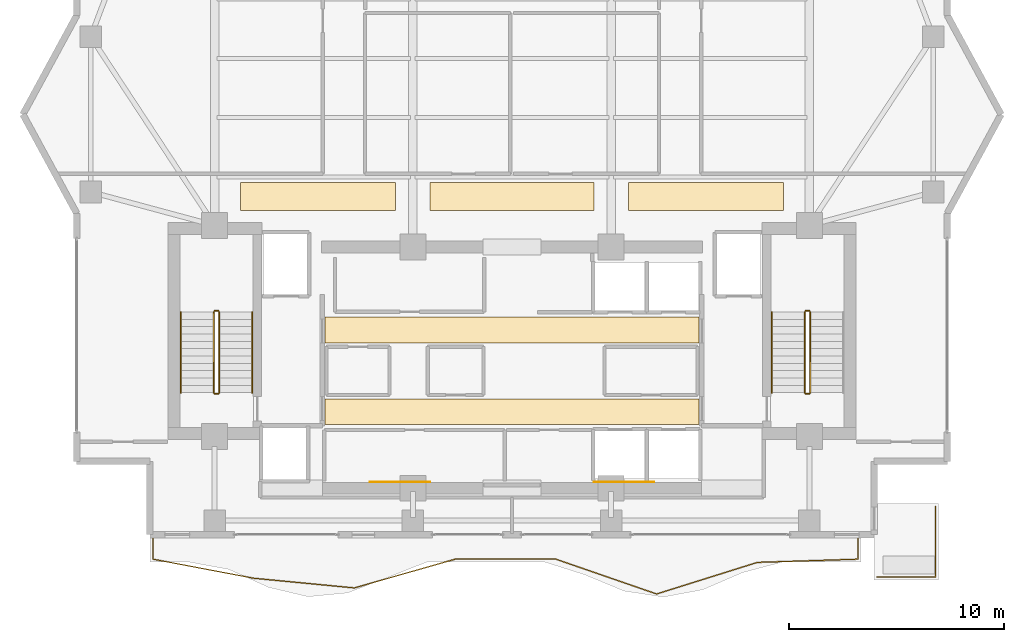
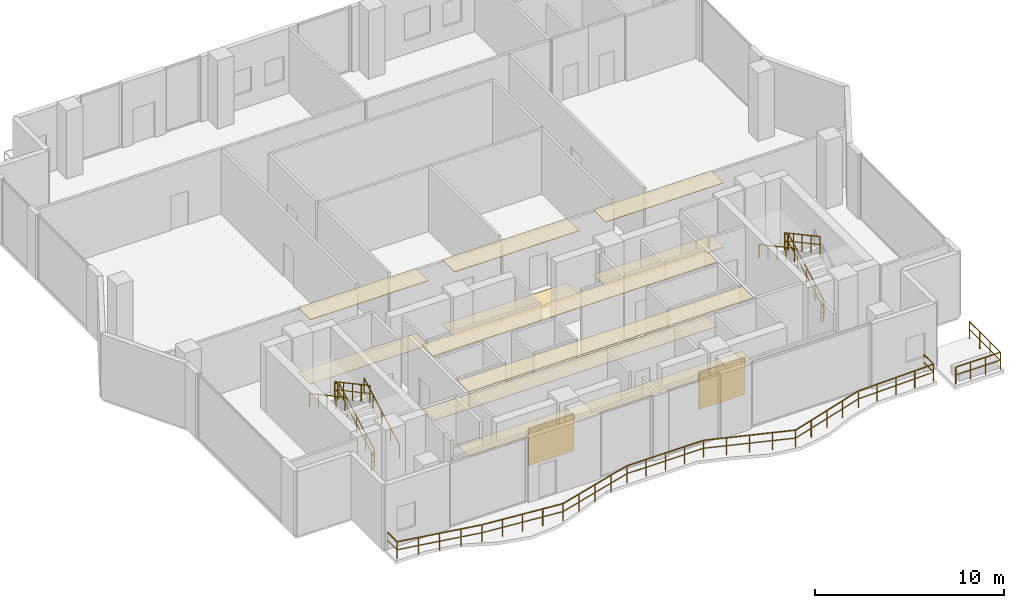
# One storey, part 21 of 23: 13 railings, 12 coverings.
"""IFC4 building model written with IfcOpenShell, lengths in metres."""

from ifc_helpers import new_model, si_unit, direction, frame, origin, origin_2d, place, context, subcontext, project, spatial, polyline, rectangle, outline, extrude, material, layer, layer_set, type_object, element, save


model = new_model("IFC4")

# Units and contexts
model_context = context("Model", 3, precision=1e-05, world=origin(), true_north=direction((0.0, 1.0)))
body_context = subcontext(model_context, "Body", "Model", "MODEL_VIEW")
ifc_project = project(units=[si_unit("LENGTHUNIT", "METRE"), si_unit("AREAUNIT", "SQUARE_METRE"), si_unit("VOLUMEUNIT", "CUBIC_METRE"), si_unit("PLANEANGLEUNIT", "RADIAN"), si_unit("MASSUNIT", "GRAM", prefix="KILO")], contexts=[model_context])

# Site, building, storey
site_placement = place(None, origin())
site = spatial("IfcSite", under=ifc_project, at=site_placement, CompositionType="ELEMENT")
building_placement = place(site_placement, origin())
building = spatial("IfcBuilding", under=site, at=building_placement, Name="Zuhayl Quay Hotel", CompositionType="ELEMENT")
storey_placement = place(building_placement, frame((0.0, 0.0, 288.449951171875)))
storey = spatial("IfcBuildingStorey", under=building, at=storey_placement, Name="L73", CompositionType="ELEMENT", Elevation=288.449951171875)

# Coverings
ifc_material_1 = material(Name="Acoustic Mineral-Fibre Gypsum Board")
ifc_layer_1 = layer(ifc_material_1, 0.02490234375, Name="Acoustic Mineral-Fibre Gypsum Board")
ifc_layer_set_1 = layer_set([ifc_layer_1], Name="Acoustic Mineral-Fibre Gypsum Board")
covering_type_1 = type_object("IfcCoveringType", Name="CV_CEIL_ACOUSTIC", PredefinedType="CEILING", material=ifc_layer_set_1)
covering_1_placement = place(storey_placement, frame((0.0, 0.0, 4.155029296875)))
element("IfcCovering", 1, at=covering_1_placement, inside=storey, type_object=covering_type_1, Name="L73 Suspended Acoustic Lobby Ceiling S", PredefinedType="CEILING", context=body_context, shape_type="SweptSolid", body=[
    extrude(outline(polyline([(-8.679931640625, 5.10009765625), (8.679931640625, 5.10009765625), (8.679931640625, 6.300048828125), (-8.679931640625, 6.300048828125), (-8.679931640625, 5.10009765625)])), origin(), (0.0, 0.0, 1.0), 0.02490234375),
])
covering_2_placement = place(storey_placement, frame((0.0, 0.0, 4.155029296875)))
element("IfcCovering", 2, at=covering_2_placement, inside=storey, type_object=covering_type_1, Name="L73 Suspended Acoustic Lobby Ceiling N", PredefinedType="CEILING", context=body_context, shape_type="SweptSolid", body=[
    extrude(outline(polyline([(-8.679931640625, 8.89990234375), (8.679931640625, 8.89990234375), (8.679931640625, 10.10009765625), (-8.679931640625, 10.10009765625), (-8.679931640625, 8.89990234375)])), origin(), (0.0, 0.0, 1.0), 0.02490234375),
])
covering_3_placement = place(storey_placement, frame((0.0, 0.0, 4.155029296875)))
element("IfcCovering", 3, at=covering_3_placement, inside=storey, type_object=covering_type_1, Name="L73 Guest Corridor Acoustic Ceiling CW", PredefinedType="CEILING", context=body_context, shape_type="SweptSolid", body=[
    extrude(outline(polyline([(-12.60009765625, 15.050048828125), (-5.39990234375, 15.050048828125), (-5.39990234375, 16.35009765625), (-12.60009765625, 16.35009765625), (-12.60009765625, 15.050048828125)])), origin(), (0.0, 0.0, 1.0), 0.02490234375),
])
covering_4_placement = place(storey_placement, frame((0.0, 0.0, 4.155029296875)))
element("IfcCovering", 4, at=covering_4_placement, inside=storey, type_object=covering_type_1, Name="L73 Guest Corridor Acoustic Ceiling CC", PredefinedType="CEILING", context=body_context, shape_type="SweptSolid", body=[
    extrude(outline(polyline([(-3.800048828125, 15.050048828125), (3.800048828125, 15.050048828125), (3.800048828125, 16.35009765625), (-3.800048828125, 16.35009765625), (-3.800048828125, 15.050048828125)])), origin(), (0.0, 0.0, 1.0), 0.02490234375),
])
covering_5_placement = place(storey_placement, frame((0.0, 0.0, 4.155029296875)))
element("IfcCovering", 5, at=covering_5_placement, inside=storey, type_object=covering_type_1, Name="L73 Guest Corridor Acoustic Ceiling CE", PredefinedType="CEILING", context=body_context, shape_type="SweptSolid", body=[
    extrude(outline(polyline([(5.39990234375, 15.050048828125), (12.60009765625, 15.050048828125), (12.60009765625, 16.35009765625), (5.39990234375, 16.35009765625), (5.39990234375, 15.050048828125)])), origin(), (0.0, 0.0, 1.0), 0.02490234375),
])
ifc_material_2 = material(Name="Polished Limestone Terrazzo", Category="masonry")
ifc_layer_2 = layer(ifc_material_2, 0.02001953125, Name="Polished Limestone Terrazzo", Category="masonry")
ifc_layer_set_2 = layer_set([ifc_layer_2], Name="Polished Limestone Terrazzo")
covering_type_2 = type_object("IfcCoveringType", Name="CV_FLOOR_TERRAZZO", PredefinedType="FLOORING", material=ifc_layer_set_2)
covering_6_placement = place(storey_placement, origin())
element("IfcCovering", 6, at=covering_6_placement, inside=storey, type_object=covering_type_2, Name="L73 Honed Limestone Terrazzo Lobby Flooring S", PredefinedType="FLOORING", context=body_context, shape_type="SweptSolid", body=[
    extrude(outline(polyline([(-8.679931640625, 5.10009765625), (8.679931640625, 5.10009765625), (8.679931640625, 6.300048828125), (-8.679931640625, 6.300048828125), (-8.679931640625, 5.10009765625)])), origin(), (0.0, 0.0, 1.0), 0.02001953125),
])
covering_7_placement = place(storey_placement, origin())
element("IfcCovering", 7, at=covering_7_placement, inside=storey, type_object=covering_type_2, Name="L73 Honed Limestone Terrazzo Lobby Flooring N", PredefinedType="FLOORING", context=body_context, shape_type="SweptSolid", body=[
    extrude(outline(polyline([(-8.679931640625, 8.89990234375), (8.679931640625, 8.89990234375), (8.679931640625, 10.10009765625), (-8.679931640625, 10.10009765625), (-8.679931640625, 8.89990234375)])), origin(), (0.0, 0.0, 1.0), 0.02001953125),
])
covering_8_placement = place(storey_placement, origin())
element("IfcCovering", 8, at=covering_8_placement, inside=storey, type_object=covering_type_2, Name="L73 Guest Corridor Terrazzo Runner CW", PredefinedType="FLOORING", context=body_context, shape_type="SweptSolid", body=[
    extrude(outline(polyline([(-12.60009765625, 15.050048828125), (-5.39990234375, 15.050048828125), (-5.39990234375, 16.35009765625), (-12.60009765625, 16.35009765625), (-12.60009765625, 15.050048828125)])), origin(), (0.0, 0.0, 1.0), 0.02001953125),
])
covering_9_placement = place(storey_placement, origin())
element("IfcCovering", 9, at=covering_9_placement, inside=storey, type_object=covering_type_2, Name="L73 Guest Corridor Terrazzo Runner CC", PredefinedType="FLOORING", context=body_context, shape_type="SweptSolid", body=[
    extrude(outline(polyline([(-3.800048828125, 15.050048828125), (3.800048828125, 15.050048828125), (3.800048828125, 16.35009765625), (-3.800048828125, 16.35009765625), (-3.800048828125, 15.050048828125)])), origin(), (0.0, 0.0, 1.0), 0.02001953125),
])
covering_10_placement = place(storey_placement, origin())
element("IfcCovering", 10, at=covering_10_placement, inside=storey, type_object=covering_type_2, Name="L73 Guest Corridor Terrazzo Runner CE", PredefinedType="FLOORING", context=body_context, shape_type="SweptSolid", body=[
    extrude(outline(polyline([(5.39990234375, 15.050048828125), (12.60009765625, 15.050048828125), (12.60009765625, 16.35009765625), (5.39990234375, 16.35009765625), (5.39990234375, 15.050048828125)])), origin(), (0.0, 0.0, 1.0), 0.02001953125),
])
ifc_material_3 = material(Name="Acoustic Walnut Feature Timber", Category="wood")
ifc_layer_3 = layer(ifc_material_3, 0.02197265625, Name="Acoustic Walnut Feature Timber", Category="wood")
ifc_layer_set_3 = layer_set([ifc_layer_3], Name="Acoustic Walnut Feature Timber")
covering_type_3 = type_object("IfcCoveringType", Name="CV_WALL_CLAD", PredefinedType="CLADDING", material=ifc_layer_set_3)
for number, where, z_axis, x_axis, name in (
    (11, (-5.199951171875, 2.43603515625, 0.300048828125), (0.0, 0.0, 1.0), (1.0, 0.0, 0.0), "L73 Feature Lobby Walnut Wall Cladding W"),
    (12, (5.199951171875, 2.43603515625, 0.300048828125), (0.0, 0.0, 1.0), (1.0, 0.0, 0.0), "L73 Feature Lobby Walnut Wall Cladding E"),
):
    element("IfcCovering", number, at=place(storey_placement, frame(where, z_axis=z_axis, x_axis=x_axis)), inside=storey, type_object=covering_type_3, Name=name, PredefinedType="CLADDING", context=body_context, shape_type="SweptSolid", body=[
        extrude(rectangle(XDim=2.800048828125, YDim=0.02197265625, at=origin_2d()), origin(), (0.0, 0.0, 1.0), 2.39990234375),
    ])

# Railings
ifc_material_4 = material(Name="Anodised Aluminium and Laminated Glass", Category="aluminium")
railing_type_1 = type_object("IfcRailingType", Name="RL_EXT_BAL_1100", PredefinedType="BALUSTRADE", material=ifc_material_4)
railing_1_placement = place(storey_placement, frame((-16.659912109375, -0.1201171875, 0.0)))
element("IfcRailing", 13, at=railing_1_placement, inside=storey, type_object=railing_type_1, Name="L73 Balcony and Terrace Guard GR_L73_BAL_S", PredefinedType="BALUSTRADE", context=body_context, shape_type="SweptSolid", body=[
    extrude(rectangle(XDim=0.048095703125, YDim=0.048095703125, at=origin_2d()), frame((0.0, 0.0, 1.09619140625), z_axis=(0.0, -1.0, 0.0), x_axis=(1.0, 0.0, 0.0)), (0.0, 0.0, 1.0), 1.019775390625),
    extrude(rectangle(XDim=0.0361328125, YDim=0.0361328125, at=origin_2d()), frame((0.0, 0.0, 0.58251953125), z_axis=(0.0, -1.0, 0.0), x_axis=(1.0, 0.0, 0.0)), (0.0, 0.0, 1.0), 1.019775390625),
    extrude(rectangle(XDim=0.048095703125, YDim=0.048095703125, at=origin_2d()), frame((0.0, -1.019775390625, 1.09619140625), z_axis=(0.982544142474, -0.186029589286, 0.0), x_axis=(0.186029589286, 0.982544142474, 0.0)), (0.0, 0.0, 1.0), 4.75732421875),
    extrude(rectangle(XDim=0.0361328125, YDim=0.0361328125, at=origin_2d()), frame((0.0, -1.019775390625, 0.58251953125), z_axis=(0.982544142474, -0.186029589286, 0.0), x_axis=(0.186029589286, 0.982544142474, 0.0)), (0.0, 0.0, 1.0), 4.75732421875),
    extrude(rectangle(XDim=0.048095703125, YDim=0.048095703125, at=origin_2d()), frame((4.67431640625, -1.90478515625, 1.09619140625), z_axis=(0.995403883893, -0.09576590171, 0.0), x_axis=(0.09576590171, 0.995403883893, 0.0)), (0.0, 0.0, 1.0), 4.69580078125),
    extrude(rectangle(XDim=0.0361328125, YDim=0.0361328125, at=origin_2d()), frame((4.67431640625, -1.90478515625, 0.58251953125), z_axis=(0.995403883893, -0.09576590171, 0.0), x_axis=(0.09576590171, 0.995403883893, 0.0)), (0.0, 0.0, 1.0), 4.69580078125),
    extrude(rectangle(XDim=0.048095703125, YDim=0.048095703125, at=origin_2d()), frame((9.3486328125, -2.3544921875, 1.09619140625), z_axis=(0.961563738746, 0.274581820827, 0.0), x_axis=(-0.274581820827, 0.961563738746, 0.0)), (0.0, 0.0, 1.0), 4.86083984375),
    extrude(rectangle(XDim=0.0361328125, YDim=0.0361328125, at=origin_2d()), frame((9.3486328125, -2.3544921875, 0.58251953125), z_axis=(0.961563738746, 0.274581820827, 0.0), x_axis=(-0.274581820827, 0.961563738746, 0.0)), (0.0, 0.0, 1.0), 4.86083984375),
    extrude(rectangle(XDim=0.048095703125, YDim=0.048095703125, at=origin_2d()), frame((14.022705078125, -1.019775390625, 1.09619140625), z_axis=(1.0, 0.0, 0.0), x_axis=(0.0, 1.0, 0.0)), (0.0, 0.0, 1.0), 4.67431640625),
    extrude(rectangle(XDim=0.0361328125, YDim=0.0361328125, at=origin_2d()), frame((14.022705078125, -1.019775390625, 0.58251953125), z_axis=(1.0, 0.0, 0.0), x_axis=(0.0, 1.0, 0.0)), (0.0, 0.0, 1.0), 4.67431640625),
    extrude(rectangle(XDim=0.048095703125, YDim=0.048095703125, at=origin_2d()), frame((18.697021484375, -1.019775390625, 1.09619140625), z_axis=(0.945145598877, -0.326649348573, 0.0), x_axis=(0.326649348573, 0.945145598877, 0.0)), (0.0, 0.0, 1.0), 4.945556640625),
    extrude(rectangle(XDim=0.0361328125, YDim=0.0361328125, at=origin_2d()), frame((18.697021484375, -1.019775390625, 0.58251953125), z_axis=(0.945145598877, -0.326649348573, 0.0), x_axis=(0.326649348573, 0.945145598877, 0.0)), (0.0, 0.0, 1.0), 4.945556640625),
    extrude(rectangle(XDim=0.048095703125, YDim=0.048095703125, at=origin_2d()), frame((23.371337890625, -2.63525390625, 1.09619140625), z_axis=(0.954154860036, 0.299313386053, 0.0), x_axis=(-0.299313386053, 0.954154860036, 0.0)), (0.0, 0.0, 1.0), 4.89892578125),
    extrude(rectangle(XDim=0.0361328125, YDim=0.0361328125, at=origin_2d()), frame((23.371337890625, -2.63525390625, 0.58251953125), z_axis=(0.954154860036, 0.299313386053, 0.0), x_axis=(-0.299313386053, 0.954154860036, 0.0)), (0.0, 0.0, 1.0), 4.89892578125),
    extrude(rectangle(XDim=0.048095703125, YDim=0.048095703125, at=origin_2d()), frame((28.045654296875, -1.1689453125, 1.09619140625), z_axis=(0.999491179324, 0.031896433227, 0.0), x_axis=(-0.031896433227, 0.999491179324, 0.0)), (0.0, 0.0, 1.0), 4.6767578125),
    extrude(rectangle(XDim=0.0361328125, YDim=0.0361328125, at=origin_2d()), frame((28.045654296875, -1.1689453125, 0.58251953125), z_axis=(0.999491179324, 0.031896433227, 0.0), x_axis=(-0.031896433227, 0.999491179324, 0.0)), (0.0, 0.0, 1.0), 4.6767578125),
    extrude(rectangle(XDim=0.048095703125, YDim=0.048095703125, at=origin_2d()), frame((32.719970703125, -1.019775390625, 1.09619140625), z_axis=(0.0, 1.0, 0.0), x_axis=(-1.0, 0.0, 0.0)), (0.0, 0.0, 1.0), 1.019775390625),
    extrude(rectangle(XDim=0.0361328125, YDim=0.0361328125, at=origin_2d()), frame((32.719970703125, -1.019775390625, 0.58251953125), z_axis=(0.0, 1.0, 0.0), x_axis=(-1.0, 0.0, 0.0)), (0.0, 0.0, 1.0), 1.019775390625),
    extrude(rectangle(XDim=0.0419921875, YDim=0.0419921875, at=origin_2d()), origin(), (0.0, 0.0, 1.0), 1.072021484375),
    extrude(rectangle(XDim=0.0419921875, YDim=0.0419921875, at=origin_2d()), frame((0.0, -1.019775390625, 0.0)), (0.0, 0.0, 1.0), 1.072021484375),
    extrude(rectangle(XDim=0.0419921875, YDim=0.0419921875, at=origin_2d()), frame((1.16845703125, -1.240966796875, 0.0)), (0.0, 0.0, 1.0), 1.072021484375),
    extrude(rectangle(XDim=0.0419921875, YDim=0.0419921875, at=origin_2d()), frame((2.337158203125, -1.46240234375, 0.0)), (0.0, 0.0, 1.0), 1.072021484375),
    extrude(rectangle(XDim=0.0419921875, YDim=0.0419921875, at=origin_2d()), frame((3.505859375, -1.68359375, 0.0)), (0.0, 0.0, 1.0), 1.072021484375),
    extrude(rectangle(XDim=0.0419921875, YDim=0.0419921875, at=origin_2d()), frame((4.67431640625, -1.90478515625, 0.0)), (0.0, 0.0, 1.0), 1.072021484375),
    extrude(rectangle(XDim=0.0419921875, YDim=0.0419921875, at=origin_2d()), frame((5.8427734375, -2.01708984375, 0.0)), (0.0, 0.0, 1.0), 1.072021484375),
    extrude(rectangle(XDim=0.0419921875, YDim=0.0419921875, at=origin_2d()), frame((7.011474609375, -2.129638671875, 0.0)), (0.0, 0.0, 1.0), 1.072021484375),
    extrude(rectangle(XDim=0.0419921875, YDim=0.0419921875, at=origin_2d()), frame((8.18017578125, -2.2421875, 0.0)), (0.0, 0.0, 1.0), 1.072021484375),
    extrude(rectangle(XDim=0.0419921875, YDim=0.0419921875, at=origin_2d()), frame((9.3486328125, -2.3544921875, 0.0)), (0.0, 0.0, 1.0), 1.072021484375),
    extrude(rectangle(XDim=0.0419921875, YDim=0.0419921875, at=origin_2d()), frame((10.51708984375, -2.020751953125, 0.0)), (0.0, 0.0, 1.0), 1.072021484375),
    extrude(rectangle(XDim=0.0419921875, YDim=0.0419921875, at=origin_2d()), frame((11.685546875, -1.68701171875, 0.0)), (0.0, 0.0, 1.0), 1.072021484375),
    extrude(rectangle(XDim=0.0419921875, YDim=0.0419921875, at=origin_2d()), frame((12.854248046875, -1.353515625, 0.0)), (0.0, 0.0, 1.0), 1.072021484375),
    extrude(rectangle(XDim=0.0419921875, YDim=0.0419921875, at=origin_2d()), frame((14.022705078125, -1.019775390625, 0.0)), (0.0, 0.0, 1.0), 1.072021484375),
    extrude(rectangle(XDim=0.0419921875, YDim=0.0419921875, at=origin_2d()), frame((15.19140625, -1.019775390625, 0.0)), (0.0, 0.0, 1.0), 1.072021484375),
    extrude(rectangle(XDim=0.0419921875, YDim=0.0419921875, at=origin_2d()), frame((16.35986328125, -1.019775390625, 0.0)), (0.0, 0.0, 1.0), 1.072021484375),
    extrude(rectangle(XDim=0.0419921875, YDim=0.0419921875, at=origin_2d()), frame((17.5283203125, -1.019775390625, 0.0)), (0.0, 0.0, 1.0), 1.072021484375),
    extrude(rectangle(XDim=0.0419921875, YDim=0.0419921875, at=origin_2d()), frame((18.697021484375, -1.019775390625, 0.0)), (0.0, 0.0, 1.0), 1.072021484375),
    extrude(rectangle(XDim=0.0419921875, YDim=0.0419921875, at=origin_2d()), frame((19.86572265625, -1.423583984375, 0.0)), (0.0, 0.0, 1.0), 1.072021484375),
    extrude(rectangle(XDim=0.0419921875, YDim=0.0419921875, at=origin_2d()), frame((21.0341796875, -1.82763671875, 0.0)), (0.0, 0.0, 1.0), 1.072021484375),
    extrude(rectangle(XDim=0.0419921875, YDim=0.0419921875, at=origin_2d()), frame((22.20263671875, -2.2314453125, 0.0)), (0.0, 0.0, 1.0), 1.072021484375),
    extrude(rectangle(XDim=0.0419921875, YDim=0.0419921875, at=origin_2d()), frame((23.371337890625, -2.63525390625, 0.0)), (0.0, 0.0, 1.0), 1.072021484375),
    extrude(rectangle(XDim=0.0419921875, YDim=0.0419921875, at=origin_2d()), frame((24.5400390625, -2.2685546875, 0.0)), (0.0, 0.0, 1.0), 1.072021484375),
    extrude(rectangle(XDim=0.0419921875, YDim=0.0419921875, at=origin_2d()), frame((25.70849609375, -1.902099609375, 0.0)), (0.0, 0.0, 1.0), 1.072021484375),
    extrude(rectangle(XDim=0.0419921875, YDim=0.0419921875, at=origin_2d()), frame((26.876953125, -1.53564453125, 0.0)), (0.0, 0.0, 1.0), 1.072021484375),
    extrude(rectangle(XDim=0.0419921875, YDim=0.0419921875, at=origin_2d()), frame((28.045654296875, -1.1689453125, 0.0)), (0.0, 0.0, 1.0), 1.072021484375),
    extrude(rectangle(XDim=0.0419921875, YDim=0.0419921875, at=origin_2d()), frame((29.21435546875, -1.131591796875, 0.0)), (0.0, 0.0, 1.0), 1.072021484375),
    extrude(rectangle(XDim=0.0419921875, YDim=0.0419921875, at=origin_2d()), frame((30.3828125, -1.09423828125, 0.0)), (0.0, 0.0, 1.0), 1.072021484375),
    extrude(rectangle(XDim=0.0419921875, YDim=0.0419921875, at=origin_2d()), frame((31.55126953125, -1.05712890625, 0.0)), (0.0, 0.0, 1.0), 1.072021484375),
    extrude(rectangle(XDim=0.0419921875, YDim=0.0419921875, at=origin_2d()), frame((32.719970703125, -1.019775390625, 0.0)), (0.0, 0.0, 1.0), 1.072021484375),
    extrude(rectangle(XDim=0.0419921875, YDim=0.0419921875, at=origin_2d()), frame((32.719970703125, 0.0, 0.0)), (0.0, 0.0, 1.0), 1.072021484375),
])
railing_2_placement = place(storey_placement, frame((16.93994140625, -1.9599609375, 0.0)))
element("IfcRailing", 14, at=railing_2_placement, inside=storey, type_object=railing_type_1, Name="L73 Balcony and Terrace Guard GR_L73_SPIRAL_SE", PredefinedType="BALUSTRADE", context=body_context, shape_type="SweptSolid", body=[
    extrude(rectangle(XDim=0.048095703125, YDim=0.048095703125, at=origin_2d()), frame((0.0, 0.0, 1.09619140625), z_axis=(1.0, 0.0, 0.0), x_axis=(0.0, 1.0, 0.0)), (0.0, 0.0, 1.0), 2.719970703125),
    extrude(rectangle(XDim=0.0361328125, YDim=0.0361328125, at=origin_2d()), frame((0.0, 0.0, 0.58251953125), z_axis=(1.0, 0.0, 0.0), x_axis=(0.0, 1.0, 0.0)), (0.0, 0.0, 1.0), 2.719970703125),
    extrude(rectangle(XDim=0.048095703125, YDim=0.048095703125, at=origin_2d()), frame((2.719970703125, 0.0, 1.09619140625), z_axis=(0.0, 1.0, 0.0), x_axis=(-1.0, 0.0, 0.0)), (0.0, 0.0, 1.0), 3.27001953125),
    extrude(rectangle(XDim=0.0361328125, YDim=0.0361328125, at=origin_2d()), frame((2.719970703125, 0.0, 0.58251953125), z_axis=(0.0, 1.0, 0.0), x_axis=(-1.0, 0.0, 0.0)), (0.0, 0.0, 1.0), 3.27001953125),
    extrude(rectangle(XDim=0.0419921875, YDim=0.0419921875, at=origin_2d()), origin(), (0.0, 0.0, 1.0), 1.072021484375),
    extrude(rectangle(XDim=0.0419921875, YDim=0.0419921875, at=origin_2d()), frame((0.90673828125, 0.0, 0.0)), (0.0, 0.0, 1.0), 1.072021484375),
    extrude(rectangle(XDim=0.0419921875, YDim=0.0419921875, at=origin_2d()), frame((1.813232421875, 0.0, 0.0)), (0.0, 0.0, 1.0), 1.072021484375),
    extrude(rectangle(XDim=0.0419921875, YDim=0.0419921875, at=origin_2d()), frame((2.719970703125, 0.0, 0.0)), (0.0, 0.0, 1.0), 1.072021484375),
    extrude(rectangle(XDim=0.0419921875, YDim=0.0419921875, at=origin_2d()), frame((2.719970703125, 1.090087890625, 0.0)), (0.0, 0.0, 1.0), 1.072021484375),
    extrude(rectangle(XDim=0.0419921875, YDim=0.0419921875, at=origin_2d()), frame((2.719970703125, 2.179931640625, 0.0)), (0.0, 0.0, 1.0), 1.072021484375),
    extrude(rectangle(XDim=0.0419921875, YDim=0.0419921875, at=origin_2d()), frame((2.719970703125, 3.27001953125, 0.0)), (0.0, 0.0, 1.0), 1.072021484375),
])
ifc_material_5 = material(Name="Steel ASTM A992 Grade 50", Category="steel")
railing_type_2 = type_object("IfcRailingType", Name="RL_GUARD_1100", PredefinedType="GUARDRAIL", material=ifc_material_5)
railing_3_placement = place(storey_placement, frame((-13.590087890625, 6.590087890625, 0.183349609375)))
element("IfcRailing", 15, at=railing_3_placement, inside=storey, type_object=railing_type_2, Name="L73 ST1 stair guard 1", PredefinedType="GUARDRAIL", context=body_context, shape_type="SweptSolid", body=[
    extrude(rectangle(XDim=0.048095703125, YDim=0.048095703125, at=origin_2d()), frame((0.0, 0.0, 1.09619140625), z_axis=(0.0, 0.880199743355, 0.474603425818), x_axis=(-1.0, 0.0, 0.0)), (0.0, 0.0, 1.0), 4.2490234375),
    extrude(rectangle(XDim=0.0361328125, YDim=0.0361328125, at=origin_2d()), frame((0.0, 0.0, 0.58251953125), z_axis=(0.0, 0.880199743355, 0.474603425818), x_axis=(-1.0, 0.0, 0.0)), (0.0, 0.0, 1.0), 4.2490234375),
    extrude(rectangle(XDim=0.0419921875, YDim=0.0419921875, at=origin_2d()), origin(), (0.0, 0.0, 1.0), 1.072021484375),
    extrude(rectangle(XDim=0.0419921875, YDim=0.0419921875, at=origin_2d()), frame((0.0, 0.93505859375, 0.504150390625)), (0.0, 0.0, 1.0), 1.072021484375),
    extrude(rectangle(XDim=0.0419921875, YDim=0.0419921875, at=origin_2d()), frame((0.0, 1.8701171875, 1.00830078125)), (0.0, 0.0, 1.0), 1.072021484375),
    extrude(rectangle(XDim=0.0419921875, YDim=0.0419921875, at=origin_2d()), frame((0.0, 2.804931640625, 1.512451171875)), (0.0, 0.0, 1.0), 1.072021484375),
    extrude(rectangle(XDim=0.0419921875, YDim=0.0419921875, at=origin_2d()), frame((0.0, 3.739990234375, 2.0166015625)), (0.0, 0.0, 1.0), 1.072021484375),
])
railing_4_placement = place(storey_placement, frame((-13.639892578125, 10.3798828125, 2.199951171875)))
element("IfcRailing", 16, at=railing_4_placement, inside=storey, type_object=railing_type_2, Name="L73 ST1 stair guard 2", PredefinedType="GUARDRAIL", context=body_context, shape_type="SweptSolid", body=[
    extrude(rectangle(XDim=0.048095703125, YDim=0.048095703125, at=origin_2d()), frame((0.0, 0.0, 1.09619140625), z_axis=(-1.0, 0.0, 0.0), x_axis=(0.0, -1.0, 0.0)), (0.0, 0.0, 1.0), 0.150146484375),
    extrude(rectangle(XDim=0.0361328125, YDim=0.0361328125, at=origin_2d()), frame((0.0, 0.0, 0.58251953125), z_axis=(-1.0, 0.0, 0.0), x_axis=(0.0, -1.0, 0.0)), (0.0, 0.0, 1.0), 0.150146484375),
    extrude(rectangle(XDim=0.0419921875, YDim=0.0419921875, at=origin_2d()), origin(), (0.0, 0.0, 1.0), 1.072021484375),
    extrude(rectangle(XDim=0.0419921875, YDim=0.0419921875, at=origin_2d()), frame((-0.150146484375, 0.0, 0.0)), (0.0, 0.0, 1.0), 1.072021484375),
])
railing_5_placement = place(storey_placement, frame((-13.840087890625, 10.330078125, 2.38330078125)))
element("IfcRailing", 17, at=railing_5_placement, inside=storey, type_object=railing_type_2, Name="L73 ST1 stair guard 3", PredefinedType="GUARDRAIL", context=body_context, shape_type="SweptSolid", body=[
    extrude(rectangle(XDim=0.048095703125, YDim=0.048095703125, at=origin_2d()), frame((0.0, 0.0, 1.09619140625), z_axis=(0.0, -0.880175740027, 0.474647939707), x_axis=(1.0, 0.0, 0.0)), (0.0, 0.0, 1.0), 4.2490234375),
    extrude(rectangle(XDim=0.0361328125, YDim=0.0361328125, at=origin_2d()), frame((0.0, 0.0, 0.58251953125), z_axis=(0.0, -0.880175740027, 0.474647939707), x_axis=(1.0, 0.0, 0.0)), (0.0, 0.0, 1.0), 4.2490234375),
    extrude(rectangle(XDim=0.0419921875, YDim=0.0419921875, at=origin_2d()), origin(), (0.0, 0.0, 1.0), 1.072021484375),
    extrude(rectangle(XDim=0.0419921875, YDim=0.0419921875, at=origin_2d()), frame((0.0, -0.93505859375, 0.504150390625)), (0.0, 0.0, 1.0), 1.072021484375),
    extrude(rectangle(XDim=0.0419921875, YDim=0.0419921875, at=origin_2d()), frame((0.0, -1.8701171875, 1.00830078125)), (0.0, 0.0, 1.0), 1.072021484375),
    extrude(rectangle(XDim=0.0419921875, YDim=0.0419921875, at=origin_2d()), frame((0.0, -2.804931640625, 1.5126953125)), (0.0, 0.0, 1.0), 1.072021484375),
    extrude(rectangle(XDim=0.0419921875, YDim=0.0419921875, at=origin_2d()), frame((0.0, -3.739990234375, 2.016845703125)), (0.0, 0.0, 1.0), 1.072021484375),
])
railing_6_placement = place(storey_placement, frame((-13.639892578125, 6.5400390625, 0.0)))
element("IfcRailing", 18, at=railing_6_placement, inside=storey, type_object=railing_type_2, Name="L73 ST1 stair guard 4", PredefinedType="GUARDRAIL", context=body_context, shape_type="SweptSolid", body=[
    extrude(rectangle(XDim=0.048095703125, YDim=0.048095703125, at=origin_2d()), frame((0.0, 0.0, 1.09619140625), z_axis=(-1.0, 0.0, 0.0), x_axis=(0.0, -1.0, 0.0)), (0.0, 0.0, 1.0), 0.150146484375),
    extrude(rectangle(XDim=0.0361328125, YDim=0.0361328125, at=origin_2d()), frame((0.0, 0.0, 0.58251953125), z_axis=(-1.0, 0.0, 0.0), x_axis=(0.0, -1.0, 0.0)), (0.0, 0.0, 1.0), 0.150146484375),
    extrude(rectangle(XDim=0.0419921875, YDim=0.0419921875, at=origin_2d()), origin(), (0.0, 0.0, 1.0), 1.072021484375),
    extrude(rectangle(XDim=0.0419921875, YDim=0.0419921875, at=origin_2d()), frame((-0.150146484375, 0.0, 0.0)), (0.0, 0.0, 1.0), 1.072021484375),
])
railing_7_placement = place(storey_placement, frame((13.840087890625, 6.590087890625, 0.183349609375)))
element("IfcRailing", 19, at=railing_7_placement, inside=storey, type_object=railing_type_2, Name="L73 ST2 stair guard 1", PredefinedType="GUARDRAIL", context=body_context, shape_type="SweptSolid", body=[
    extrude(rectangle(XDim=0.048095703125, YDim=0.048095703125, at=origin_2d()), frame((0.0, 0.0, 1.09619140625), z_axis=(0.0, 0.880199743355, 0.474603425818), x_axis=(-1.0, 0.0, 0.0)), (0.0, 0.0, 1.0), 4.2490234375),
    extrude(rectangle(XDim=0.0361328125, YDim=0.0361328125, at=origin_2d()), frame((0.0, 0.0, 0.58251953125), z_axis=(0.0, 0.880199743355, 0.474603425818), x_axis=(-1.0, 0.0, 0.0)), (0.0, 0.0, 1.0), 4.2490234375),
    extrude(rectangle(XDim=0.0419921875, YDim=0.0419921875, at=origin_2d()), origin(), (0.0, 0.0, 1.0), 1.072021484375),
    extrude(rectangle(XDim=0.0419921875, YDim=0.0419921875, at=origin_2d()), frame((0.0, 0.93505859375, 0.504150390625)), (0.0, 0.0, 1.0), 1.072021484375),
    extrude(rectangle(XDim=0.0419921875, YDim=0.0419921875, at=origin_2d()), frame((0.0, 1.8701171875, 1.00830078125)), (0.0, 0.0, 1.0), 1.072021484375),
    extrude(rectangle(XDim=0.0419921875, YDim=0.0419921875, at=origin_2d()), frame((0.0, 2.804931640625, 1.512451171875)), (0.0, 0.0, 1.0), 1.072021484375),
    extrude(rectangle(XDim=0.0419921875, YDim=0.0419921875, at=origin_2d()), frame((0.0, 3.739990234375, 2.0166015625)), (0.0, 0.0, 1.0), 1.072021484375),
])
railing_8_placement = place(storey_placement, frame((13.7900390625, 10.3798828125, 2.199951171875)))
element("IfcRailing", 20, at=railing_8_placement, inside=storey, type_object=railing_type_2, Name="L73 ST2 stair guard 2", PredefinedType="GUARDRAIL", context=body_context, shape_type="SweptSolid", body=[
    extrude(rectangle(XDim=0.048095703125, YDim=0.048095703125, at=origin_2d()), frame((0.0, 0.0, 1.09619140625), z_axis=(-1.0, 0.0, 0.0), x_axis=(0.0, -1.0, 0.0)), (0.0, 0.0, 1.0), 0.150146484375),
    extrude(rectangle(XDim=0.0361328125, YDim=0.0361328125, at=origin_2d()), frame((0.0, 0.0, 0.58251953125), z_axis=(-1.0, 0.0, 0.0), x_axis=(0.0, -1.0, 0.0)), (0.0, 0.0, 1.0), 0.150146484375),
    extrude(rectangle(XDim=0.0419921875, YDim=0.0419921875, at=origin_2d()), origin(), (0.0, 0.0, 1.0), 1.072021484375),
    extrude(rectangle(XDim=0.0419921875, YDim=0.0419921875, at=origin_2d()), frame((-0.150146484375, 0.0, 0.0)), (0.0, 0.0, 1.0), 1.072021484375),
])
railing_9_placement = place(storey_placement, frame((13.590087890625, 10.330078125, 2.38330078125)))
element("IfcRailing", 21, at=railing_9_placement, inside=storey, type_object=railing_type_2, Name="L73 ST2 stair guard 3", PredefinedType="GUARDRAIL", context=body_context, shape_type="SweptSolid", body=[
    extrude(rectangle(XDim=0.048095703125, YDim=0.048095703125, at=origin_2d()), frame((0.0, 0.0, 1.09619140625), z_axis=(0.0, -0.880175740027, 0.474647939707), x_axis=(1.0, 0.0, 0.0)), (0.0, 0.0, 1.0), 4.2490234375),
    extrude(rectangle(XDim=0.0361328125, YDim=0.0361328125, at=origin_2d()), frame((0.0, 0.0, 0.58251953125), z_axis=(0.0, -0.880175740027, 0.474647939707), x_axis=(1.0, 0.0, 0.0)), (0.0, 0.0, 1.0), 4.2490234375),
    extrude(rectangle(XDim=0.0419921875, YDim=0.0419921875, at=origin_2d()), origin(), (0.0, 0.0, 1.0), 1.072021484375),
    extrude(rectangle(XDim=0.0419921875, YDim=0.0419921875, at=origin_2d()), frame((0.0, -0.93505859375, 0.504150390625)), (0.0, 0.0, 1.0), 1.072021484375),
    extrude(rectangle(XDim=0.0419921875, YDim=0.0419921875, at=origin_2d()), frame((0.0, -1.8701171875, 1.00830078125)), (0.0, 0.0, 1.0), 1.072021484375),
    extrude(rectangle(XDim=0.0419921875, YDim=0.0419921875, at=origin_2d()), frame((0.0, -2.804931640625, 1.5126953125)), (0.0, 0.0, 1.0), 1.072021484375),
    extrude(rectangle(XDim=0.0419921875, YDim=0.0419921875, at=origin_2d()), frame((0.0, -3.739990234375, 2.016845703125)), (0.0, 0.0, 1.0), 1.072021484375),
])
railing_10_placement = place(storey_placement, frame((13.7900390625, 6.5400390625, 0.0)))
element("IfcRailing", 22, at=railing_10_placement, inside=storey, type_object=railing_type_2, Name="L73 ST2 stair guard 4", PredefinedType="GUARDRAIL", context=body_context, shape_type="SweptSolid", body=[
    extrude(rectangle(XDim=0.048095703125, YDim=0.048095703125, at=origin_2d()), frame((0.0, 0.0, 1.09619140625), z_axis=(-1.0, 0.0, 0.0), x_axis=(0.0, -1.0, 0.0)), (0.0, 0.0, 1.0), 0.150146484375),
    extrude(rectangle(XDim=0.0361328125, YDim=0.0361328125, at=origin_2d()), frame((0.0, 0.0, 0.58251953125), z_axis=(-1.0, 0.0, 0.0), x_axis=(0.0, -1.0, 0.0)), (0.0, 0.0, 1.0), 0.150146484375),
    extrude(rectangle(XDim=0.0419921875, YDim=0.0419921875, at=origin_2d()), origin(), (0.0, 0.0, 1.0), 1.072021484375),
    extrude(rectangle(XDim=0.0419921875, YDim=0.0419921875, at=origin_2d()), frame((-0.150146484375, 0.0, 0.0)), (0.0, 0.0, 1.0), 1.072021484375),
])
railing_type_3 = type_object("IfcRailingType", Name="RL_HANDRAIL_920", PredefinedType="HANDRAIL", material=ifc_material_5)
railing_11_placement = place(storey_placement, frame((-12.050048828125, 6.590087890625, 0.183349609375)))
element("IfcRailing", 23, at=railing_11_placement, inside=storey, type_object=railing_type_3, Name="L73 ST1 stair handrail 1", PredefinedType="HANDRAIL", context=body_context, shape_type="SweptSolid", body=[
    extrude(rectangle(XDim=0.048095703125, YDim=0.048095703125, at=origin_2d()), frame((0.0, 0.0, 0.8759765625), z_axis=(0.0, 0.880199743355, 0.474603425818), x_axis=(-1.0, 0.0, 0.0)), (0.0, 0.0, 1.0), 4.2490234375),
    extrude(rectangle(XDim=0.0419921875, YDim=0.0419921875, at=origin_2d()), origin(), (0.0, 0.0, 1.0), 0.851806640625),
    extrude(rectangle(XDim=0.0419921875, YDim=0.0419921875, at=origin_2d()), frame((0.0, 0.93505859375, 0.504150390625)), (0.0, 0.0, 1.0), 0.851806640625),
    extrude(rectangle(XDim=0.0419921875, YDim=0.0419921875, at=origin_2d()), frame((0.0, 1.8701171875, 1.00830078125)), (0.0, 0.0, 1.0), 0.851806640625),
    extrude(rectangle(XDim=0.0419921875, YDim=0.0419921875, at=origin_2d()), frame((0.0, 2.804931640625, 1.512451171875)), (0.0, 0.0, 1.0), 0.851806640625),
    extrude(rectangle(XDim=0.0419921875, YDim=0.0419921875, at=origin_2d()), frame((0.0, 3.739990234375, 2.0166015625)), (0.0, 0.0, 1.0), 0.851806640625),
])
for number, where, name in (
    (24, (-15.3798828125, 10.330078125, 2.38330078125), "L73 ST1 stair handrail 2"),
    (25, (12.050048828125, 10.330078125, 2.38330078125), "L73 ST2 stair handrail 2"),
):
    element("IfcRailing", number, at=place(storey_placement, frame(where)), inside=storey, type_object=railing_type_3, Name=name, PredefinedType="HANDRAIL", context=body_context, shape_type="SweptSolid", body=[
        extrude(rectangle(XDim=0.048095703125, YDim=0.048095703125, at=origin_2d()), frame((0.0, 0.0, 0.8759765625), z_axis=(0.0, -0.880175740027, 0.474647939707), x_axis=(1.0, 0.0, 0.0)), (0.0, 0.0, 1.0), 4.2490234375),
        extrude(rectangle(XDim=0.0419921875, YDim=0.0419921875, at=origin_2d()), origin(), (0.0, 0.0, 1.0), 0.851806640625),
        extrude(rectangle(XDim=0.0419921875, YDim=0.0419921875, at=origin_2d()), frame((0.0, -0.93505859375, 0.504150390625)), (0.0, 0.0, 1.0), 0.851806640625),
        extrude(rectangle(XDim=0.0419921875, YDim=0.0419921875, at=origin_2d()), frame((0.0, -1.8701171875, 1.00830078125)), (0.0, 0.0, 1.0), 0.851806640625),
        extrude(rectangle(XDim=0.0419921875, YDim=0.0419921875, at=origin_2d()), frame((0.0, -2.804931640625, 1.5126953125)), (0.0, 0.0, 1.0), 0.851806640625),
        extrude(rectangle(XDim=0.0419921875, YDim=0.0419921875, at=origin_2d()), frame((0.0, -3.739990234375, 2.016845703125)), (0.0, 0.0, 1.0), 0.851806640625),
    ])

save(model, "model.ifc")
